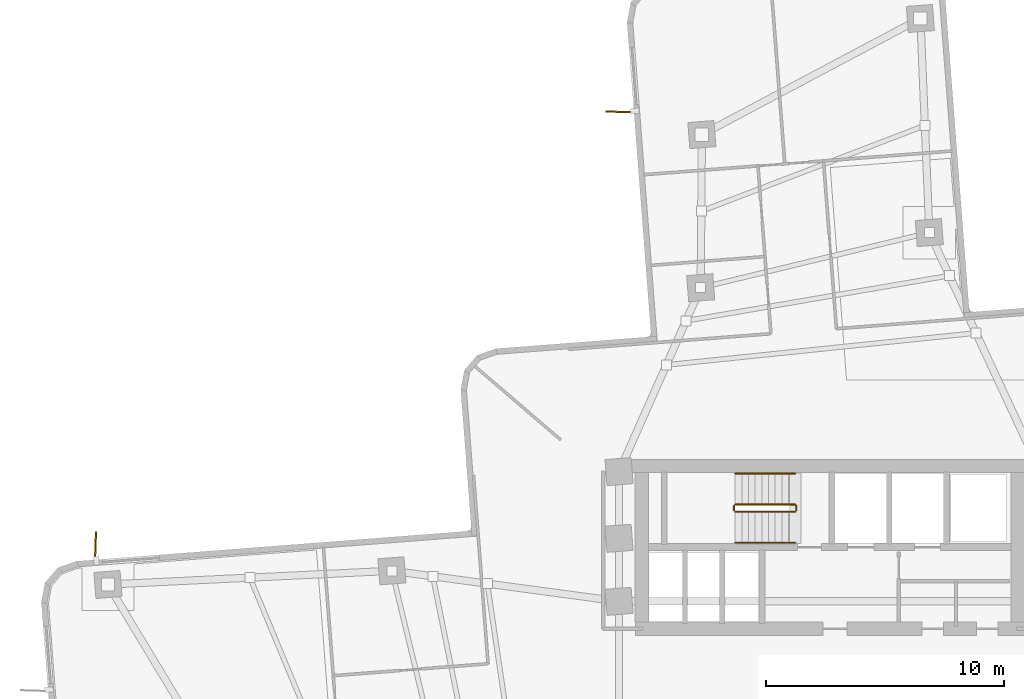
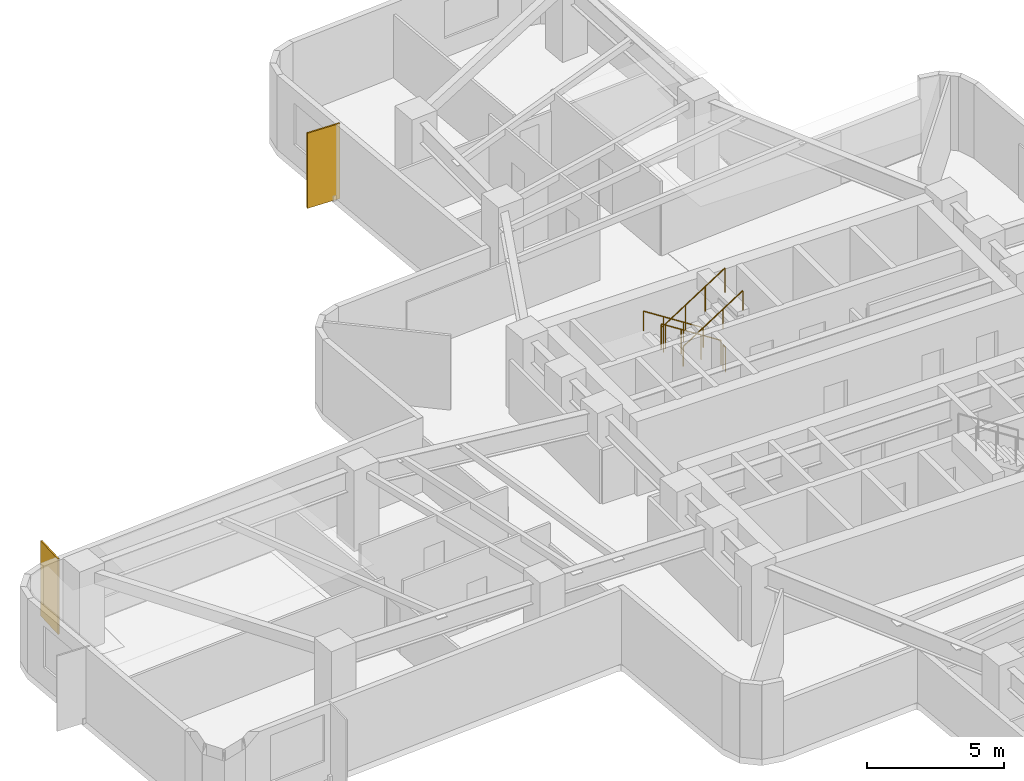
# One storey, part 9 of 10: 6 railings, 2 shading devices.
"""IFC4 building model written with IfcOpenShell, lengths in metres."""

import ifcopenshell
import ifcopenshell.guid

model = None  # the IFC model being written
_history = None  # IfcOwnerHistory: only IFC2X3 demands one
_inside = {}  # id of a spatial element -> (the spatial element, [elements in it])
_under = {}  # id of a project, library or spatial element -> (it, [spatial elements below it])
_declared = {}  # id of a project -> (the project, [libraries it declares])
_typed = {}  # id of a type object -> (the type object, [elements of that type])
_made_of = {}  # id of a material, layer set ... -> (it, [elements and type objects made of it])


def new_model(schema):
    """Start an empty IFC model of exactly this schema.

    Asked for "IFC4X3", IfcOpenShell would pick the latest addendum, in which some entities
    have other attributes; the version numbers below select the first issue.
    IFC2X3 requires an IfcOwnerHistory on every rooted entity: one is made here for all.
    """
    global model, _history
    if schema == "IFC4X3":
        model = ifcopenshell.file(schema_version=(4, 3, 0, 0))
    else:
        model = ifcopenshell.file(schema=schema)
    _inside.clear()
    _under.clear()
    _declared.clear()
    _typed.clear()
    _made_of.clear()
    _history = None
    if model.schema == "IFC2X3":
        org = make("IfcOrganization", Name="unknown")
        user = make(
            "IfcPersonAndOrganization",
            ThePerson=make("IfcPerson", FamilyName="unknown"),
            TheOrganization=org,
        )
        app = make(
            "IfcApplication",
            ApplicationDeveloper=org,
            Version="unknown",
            ApplicationFullName="unknown",
            ApplicationIdentifier="unknown",
        )
        _history = make(
            "IfcOwnerHistory",
            OwningUser=user,
            OwningApplication=app,
            ChangeAction="ADDED",
            CreationDate=0,
        )
    return model


def make(cls, **values):
    """One entity of the class cls with the attributes given. An attribute that is None is left unset."""
    return model.create_entity(
        cls, **{name: value for name, value in values.items() if value is not None}
    )


def rooted(cls, **values):
    """An entity with a GlobalId (a new one), such as an element, a storey or a relation."""
    return make(cls, GlobalId=ifcopenshell.guid.new(), OwnerHistory=_history, **values)


def si_unit(unit_type, name, prefix=None):
    """IfcSIUnit, for example si_unit("LENGTHUNIT", "METRE", prefix="MILLI")."""
    return make("IfcSIUnit", UnitType=unit_type, Prefix=prefix, Name=name)


def assignment(units):
    """IfcUnitAssignment: the units of a project."""
    return None if units is None else make("IfcUnitAssignment", Units=units)


def point(xyz):
    """IfcCartesianPoint."""
    return None if xyz is None else make("IfcCartesianPoint", Coordinates=xyz)


def direction(xyz):
    """IfcDirection."""
    return None if xyz is None else make("IfcDirection", DirectionRatios=xyz)


def frame(location, z_axis=None, x_axis=None):
    """IfcAxis2Placement3D, a coordinate frame: its origin and axes. An axis left out is left unset."""
    return make(
        "IfcAxis2Placement3D",
        Location=point(location),
        Axis=direction(z_axis),
        RefDirection=direction(x_axis),
    )


def frame_2d(location, x_axis=None):
    """IfcAxis2Placement2D, a coordinate frame in the plane: its origin and x axis."""
    return make(
        "IfcAxis2Placement2D", Location=point(location), RefDirection=direction(x_axis)
    )


def origin():
    """The frame at (0, 0, 0) with its axes left unset."""
    return frame((0.0, 0.0, 0.0))


def origin_2d():
    """The frame at (0, 0) in the plane with its x axis left unset."""
    return frame_2d((0.0, 0.0))


def place(relative_to, where):
    """IfcLocalPlacement: puts the frame where relative to a parent placement (None: the world)."""
    return make(
        "IfcLocalPlacement", PlacementRelTo=relative_to, RelativePlacement=where
    )


def context(
    kind, dimensions, precision=None, world=None, true_north=None, identifier=None
):
    """IfcGeometricRepresentationContext, for example the 3D "Model" context."""
    return make(
        "IfcGeometricRepresentationContext",
        ContextIdentifier=identifier,
        ContextType=kind,
        CoordinateSpaceDimension=dimensions,
        Precision=precision,
        WorldCoordinateSystem=world,
        TrueNorth=true_north,
    )


def subcontext(parent, identifier, kind, view, scale=None):
    """IfcGeometricRepresentationSubContext, for example "Body" below "Model"."""
    return make(
        "IfcGeometricRepresentationSubContext",
        ContextIdentifier=identifier,
        ContextType=kind,
        ParentContext=parent,
        TargetScale=scale,
        TargetView=view,
    )


def project(units=None, contexts=None):
    """IfcProject with its units and contexts."""
    return rooted(
        "IfcProject",
        Name="project",
        RepresentationContexts=contexts,
        UnitsInContext=assignment(units),
    )


def spatial(cls, under=None, at=None, **own):
    """A site, building, storey or space (cls), placed at a placement, below another one or the project."""
    s = rooted(cls, ObjectPlacement=at, **own)
    if under is not None:
        _under.setdefault(under.id(), (under, []))[1].append(s)
    return s


def profile(cls, at=None, kind="AREA", **sizes):
    """A parametric profile (cls). Its sizes go by their IFC names, for example OverallWidth=200.0."""
    return make(cls, ProfileType=kind, Position=at, **sizes)


def rectangle(**sizes):
    """IfcRectangleProfileDef."""
    return profile("IfcRectangleProfileDef", **sizes)


def circle(**sizes):
    """IfcCircleProfileDef."""
    return profile("IfcCircleProfileDef", **sizes)


def extrude(swept, where, along, depth):
    """IfcExtrudedAreaSolid: the profile swept, set in the frame where, extruded along a direction by depth."""
    return make(
        "IfcExtrudedAreaSolid",
        SweptArea=swept,
        Position=where,
        ExtrudedDirection=direction(along),
        Depth=depth,
    )


def shape(context_of_items, identifier, shape_type, items):
    """IfcShapeRepresentation: the items that make up one representation, for example the "Body"."""
    return make(
        "IfcShapeRepresentation",
        ContextOfItems=context_of_items,
        RepresentationIdentifier=identifier,
        RepresentationType=shape_type,
        Items=items,
    )


def material(Name=None, Category=None):
    """IfcMaterial."""
    return make("IfcMaterial", Name=Name, Category=Category)


def layer(
    of_material, thickness, ventilated=None, Name=None, Category=None, Priority=None
):
    """IfcMaterialLayer: one layer of a wall or slab, of a material (None: an air gap)."""
    return make(
        "IfcMaterialLayer",
        Material=of_material,
        LayerThickness=thickness,
        IsVentilated=ventilated,
        Name=Name,
        Category=Category,
        Priority=Priority,
    )


def layer_set(layers, Name=None):
    """IfcMaterialLayerSet."""
    return make("IfcMaterialLayerSet", MaterialLayers=layers, LayerSetName=Name)


def made_of(thing, what):
    """Note that an element or type object is made of a material, layer set ...; save() writes the relation."""
    if what is not None:
        _made_of.setdefault(what.id(), (what, []))[1].append(thing)
    return thing


def type_object(cls, material=None, **own):
    """A type object (cls), such as IfcWallType, which elements share."""
    return made_of(rooted(cls, **own), material)


def element(
    cls,
    number,
    at=None,
    inside=None,
    cuts=None,
    type_object=None,
    material=None,
    context=None,
    identifier="Body",
    shape_type=None,
    held_by="IfcProductDefinitionShape",
    body=None,
    shapes=None,
    **own,
):
    """One element of the class cls, such as IfcWall. Its Tag is "e" and its number.

    at: its placement. inside: the storey or other place that contains it. cuts: it is an
    opening in that element (IfcRelVoidsElement). A single representation is given by context,
    identifier, shape_type and body (its items); several are given by shapes. held_by: the class
    of the entity that holds the representations. save() writes the other relations.
    """
    e = rooted(cls, Tag="e%d" % number, ObjectPlacement=at, **own)
    if body is not None:
        shapes = [shape(context, identifier, shape_type, body)]
    if shapes is not None:
        e.Representation = make(held_by, Representations=shapes)
    if inside is not None:
        _inside.setdefault(inside.id(), (inside, []))[1].append(e)
    if cuts is not None:
        rooted(
            "IfcRelVoidsElement", RelatingBuildingElement=cuts, RelatedOpeningElement=e
        )
    if type_object is not None:
        _typed.setdefault(type_object.id(), (type_object, []))[1].append(e)
    return made_of(e, material)


def aggregate(whole, parts):
    """IfcRelAggregates: a whole, such as a stair, and the parts it consists of."""
    return rooted("IfcRelAggregates", RelatingObject=whole, RelatedObjects=parts)


def save(model, path):
    """Write the relations noted so far, then the file.

    IfcRelAggregates (storeys below a building ...), IfcRelContainedInSpatialStructure (elements
    in a storey), IfcRelDefinesByType, IfcRelAssociatesMaterial and IfcRelDeclares: one each for
    every whole, place, type object, material and project.
    """
    for whole, parts in _under.values():
        aggregate(whole, parts)
    for where, things in _inside.values():
        rooted(
            "IfcRelContainedInSpatialStructure",
            RelatedElements=things,
            RelatingStructure=where,
        )
    for kind, things in _typed.values():
        rooted("IfcRelDefinesByType", RelatedObjects=things, RelatingType=kind)
    for what, things in _made_of.values():
        rooted("IfcRelAssociatesMaterial", RelatedObjects=things, RelatingMaterial=what)
    for by, libraries in _declared.values():
        rooted("IfcRelDeclares", RelatingContext=by, RelatedDefinitions=libraries)
    model.write(path)


model = new_model("IFC4")

# Units and contexts
model_context = context("Model", 3, precision=1e-05, world=origin(), true_north=direction((0.0, 1.0)))
body_context = subcontext(model_context, "Body", "Model", "MODEL_VIEW")
ifc_project = project(units=[si_unit("LENGTHUNIT", "METRE"), si_unit("AREAUNIT", "SQUARE_METRE"), si_unit("VOLUMEUNIT", "CUBIC_METRE"), si_unit("PLANEANGLEUNIT", "RADIAN"), si_unit("MASSUNIT", "GRAM", prefix="KILO")], contexts=[model_context])

# Site, building, storey
site_placement = place(None, origin())
site = spatial("IfcSite", under=ifc_project, at=site_placement, CompositionType="ELEMENT")
building_placement = place(site_placement, origin())
building = spatial("IfcBuilding", under=site, at=building_placement, Name="Solmarez Civic Tower", CompositionType="ELEMENT")
storey_placement = place(building_placement, frame((0.0, 0.0, 56.8798828125)))
storey = spatial("IfcBuildingStorey", under=building, at=storey_placement, Name="L14", CompositionType="ELEMENT", Elevation=56.8798828125)

# Shading devices
ifc_material_1 = material(Name="Bronze Anodised Aluminium EN AW-6063 T6", Category="aluminium")
ifc_layer = layer(ifc_material_1, 0.06494140625)
ifc_layer_set = layer_set([ifc_layer], Name="Bronze Anodised Aluminium EN AW-6063 T6")
shading_device_type = type_object("IfcShadingDeviceType", Name="FIN-BRONZE-Z12", PredefinedType="USERDEFINED", material=ifc_layer_set)
for number, where, z_axis, x_axis, name in (
    (1, (-30.844970703125, 5.153076171875, -0.0400390625), (0.0, 0.0, 1.0), (0.032806302436, 0.999461728392, 0.0), "L14 Anodised Bronze Solar Fin FIN-L14-03"),
    (2, (-8.73095703125, 23.458984375, -0.0400390625), (0.0, 0.0, 1.0), (-0.999458861696, 0.032893521801, 0.0), "L14 Anodised Bronze Solar Fin FIN-L14-04"),
):
    element("IfcShadingDevice", number, at=place(storey_placement, frame(where, z_axis=z_axis, x_axis=x_axis)), inside=storey, type_object=shading_device_type, Name=name, ObjectType="FIN", PredefinedType="USERDEFINED", context=body_context, shape_type="SweptSolid", body=[
        extrude(rectangle(XDim=1.35009765625, YDim=0.06494140625, at=origin_2d()), origin(), (0.0, 0.0, 1.0), 3.360107421875),
    ])

# Railings
ifc_material_2 = material(Name="Painted Steel Stairwell Safety Guard", Category="steel")
railing_type_1 = type_object("IfcRailingType", Name="GUARD-STAIR-1120", PredefinedType="BALUSTRADE", material=ifc_material_2)
railing_1_placement = place(storey_placement, frame((-1.449951171875, 6.969970703125, 0.18017578125)))
element("IfcRailing", 3, at=railing_1_placement, inside=storey, type_object=railing_type_1, Name="L14 ST-1 stair guard 1", PredefinedType="BALUSTRADE", context=body_context, shape_type="SweptSolid", body=[
    extrude(circle(Radius=0.02392578125, at=origin_2d()), frame((0.0, 0.0, 1.09619140625), z_axis=(-0.841199657755, 0.0, 0.540724639528), x_axis=(0.0, -1.0, 0.0)), (0.0, 0.0, 1.0), 2.995849609375),
    extrude(circle(Radius=0.02099609375, at=origin_2d()), origin(), (0.0, 0.0, 1.0), 1.072021484375),
    extrude(circle(Radius=0.02099609375, at=origin_2d()), frame((-0.840087890625, 0.0, 0.5400390625)), (0.0, 0.0, 1.0), 1.072021484375),
    extrude(circle(Radius=0.02099609375, at=origin_2d()), frame((-1.679931640625, 0.0, 1.079833984375)), (0.0, 0.0, 1.0), 1.072021484375),
    extrude(circle(Radius=0.02099609375, at=origin_2d()), frame((-2.52001953125, 0.0, 1.619873046875)), (0.0, 0.0, 1.0), 1.072021484375),
])
railing_2_placement = place(storey_placement, frame((-4.02001953125, 6.919921875, 1.800048828125)))
element("IfcRailing", 4, at=railing_2_placement, inside=storey, type_object=railing_type_1, Name="L14 ST-1 stair guard 2", PredefinedType="BALUSTRADE", context=body_context, shape_type="SweptSolid", body=[
    extrude(circle(Radius=0.02392578125, at=origin_2d()), frame((0.0, 0.0, 1.09619140625), z_axis=(0.0, -1.0, 0.0), x_axis=(1.0, 0.0, 0.0)), (0.0, 0.0, 1.0), 0.199951171875),
    extrude(circle(Radius=0.02099609375, at=origin_2d()), origin(), (0.0, 0.0, 1.0), 1.072021484375),
    extrude(circle(Radius=0.02099609375, at=origin_2d()), frame((0.0, -0.199951171875, 0.0)), (0.0, 0.0, 1.0), 1.072021484375),
])
railing_3_placement = place(storey_placement, frame((-3.969970703125, 6.669921875, 1.980224609375)))
element("IfcRailing", 5, at=railing_3_placement, inside=storey, type_object=railing_type_1, Name="L14 ST-1 stair guard 3", PredefinedType="BALUSTRADE", context=body_context, shape_type="SweptSolid", body=[
    extrude(circle(Radius=0.02392578125, at=origin_2d()), frame((0.0, 0.0, 1.09619140625), z_axis=(0.841199657755, 0.0, 0.540724639528), x_axis=(0.0, 1.0, 0.0)), (0.0, 0.0, 1.0), 2.995849609375),
    extrude(circle(Radius=0.02099609375, at=origin_2d()), origin(), (0.0, 0.0, 1.0), 1.072021484375),
    extrude(circle(Radius=0.02099609375, at=origin_2d()), frame((0.840087890625, 0.0, 0.5400390625)), (0.0, 0.0, 1.0), 1.072021484375),
    extrude(circle(Radius=0.02099609375, at=origin_2d()), frame((1.679931640625, 0.0, 1.079833984375)), (0.0, 0.0, 1.0), 1.072021484375),
    extrude(circle(Radius=0.02099609375, at=origin_2d()), frame((2.52001953125, 0.0, 1.619873046875)), (0.0, 0.0, 1.0), 1.072021484375),
])
railing_4_placement = place(storey_placement, frame((-1.39990234375, 6.919921875, 0.0)))
element("IfcRailing", 6, at=railing_4_placement, inside=storey, type_object=railing_type_1, Name="L14 ST-1 stair guard 4", PredefinedType="BALUSTRADE", context=body_context, shape_type="SweptSolid", body=[
    extrude(circle(Radius=0.02392578125, at=origin_2d()), frame((0.0, 0.0, 1.09619140625), z_axis=(0.0, -1.0, 0.0), x_axis=(1.0, 0.0, 0.0)), (0.0, 0.0, 1.0), 0.199951171875),
    extrude(circle(Radius=0.02099609375, at=origin_2d()), origin(), (0.0, 0.0, 1.0), 1.072021484375),
    extrude(circle(Radius=0.02099609375, at=origin_2d()), frame((0.0, -0.199951171875, 0.0)), (0.0, 0.0, 1.0), 1.072021484375),
])
ifc_material_3 = material(Name="Brushed Stainless Steel Tube Handrail", Category="steel")
railing_type_2 = type_object("IfcRailingType", Name="HANDRAIL-STAIR-900", PredefinedType="HANDRAIL", material=ifc_material_3)
railing_5_placement = place(storey_placement, frame((-1.449951171875, 8.27001953125, 0.18017578125)))
element("IfcRailing", 7, at=railing_5_placement, inside=storey, type_object=railing_type_2, Name="L14 ST-1 stair handrail 1", PredefinedType="HANDRAIL", context=body_context, shape_type="SweptSolid", body=[
    extrude(circle(Radius=0.02392578125, at=origin_2d()), frame((0.0, 0.0, 0.8759765625), z_axis=(-0.841199657755, 0.0, 0.540724639528), x_axis=(0.0, -1.0, 0.0)), (0.0, 0.0, 1.0), 2.995849609375),
    extrude(circle(Radius=0.02099609375, at=origin_2d()), origin(), (0.0, 0.0, 1.0), 0.851806640625),
    extrude(circle(Radius=0.02099609375, at=origin_2d()), frame((-0.840087890625, 0.0, 0.5400390625)), (0.0, 0.0, 1.0), 0.851806640625),
    extrude(circle(Radius=0.02099609375, at=origin_2d()), frame((-1.679931640625, 0.0, 1.079833984375)), (0.0, 0.0, 1.0), 0.851806640625),
    extrude(circle(Radius=0.02099609375, at=origin_2d()), frame((-2.52001953125, 0.0, 1.619873046875)), (0.0, 0.0, 1.0), 0.851806640625),
])
railing_6_placement = place(storey_placement, frame((-3.969970703125, 5.3701171875, 1.980224609375)))
element("IfcRailing", 8, at=railing_6_placement, inside=storey, type_object=railing_type_2, Name="L14 ST-1 stair handrail 2", PredefinedType="HANDRAIL", context=body_context, shape_type="SweptSolid", body=[
    extrude(circle(Radius=0.02392578125, at=origin_2d()), frame((0.0, 0.0, 0.8759765625), z_axis=(0.841199657755, 0.0, 0.540724639528), x_axis=(0.0, 1.0, 0.0)), (0.0, 0.0, 1.0), 2.995849609375),
    extrude(circle(Radius=0.02099609375, at=origin_2d()), origin(), (0.0, 0.0, 1.0), 0.851806640625),
    extrude(circle(Radius=0.02099609375, at=origin_2d()), frame((0.840087890625, 0.0, 0.5400390625)), (0.0, 0.0, 1.0), 0.851806640625),
    extrude(circle(Radius=0.02099609375, at=origin_2d()), frame((1.679931640625, 0.0, 1.079833984375)), (0.0, 0.0, 1.0), 0.851806640625),
    extrude(circle(Radius=0.02099609375, at=origin_2d()), frame((2.52001953125, 0.0, 1.619873046875)), (0.0, 0.0, 1.0), 0.851806640625),
])

save(model, "model.ifc")
